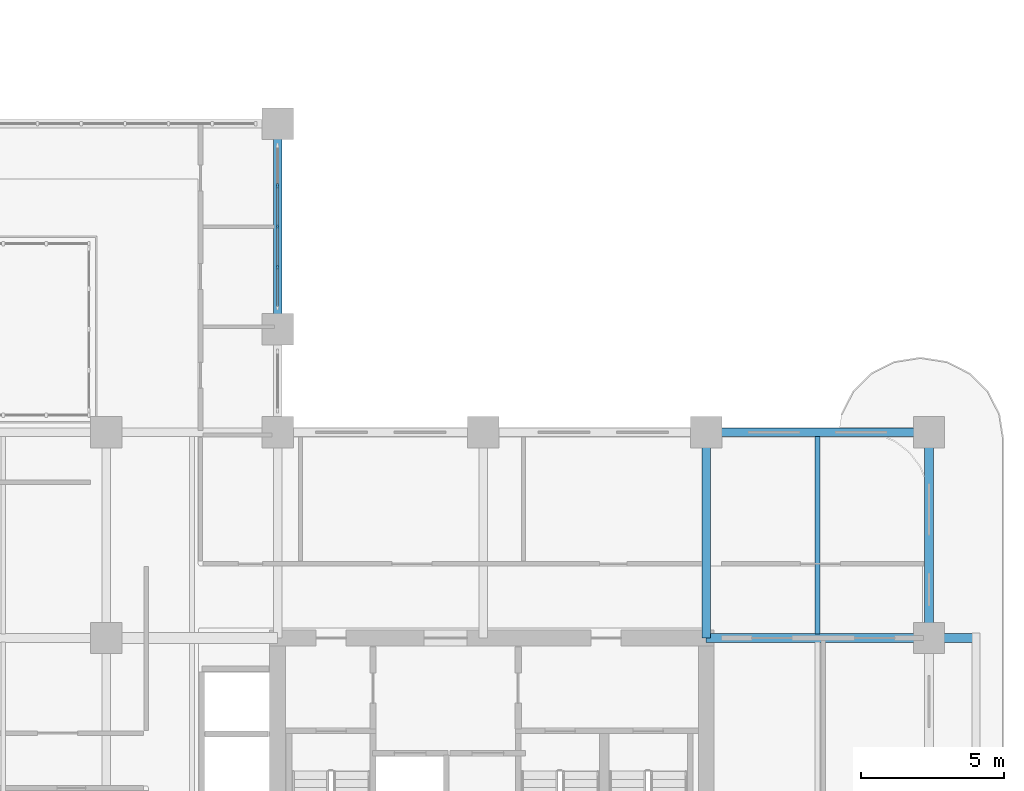
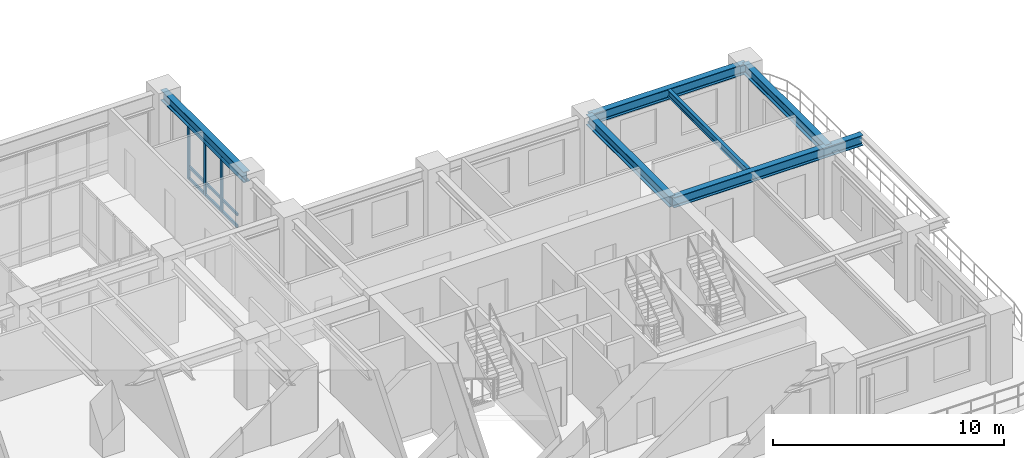
# One storey, part 5 of 22: 12 members, 6 beams, 1 element without a shape of its own.
"""IFC4 building model written with IfcOpenShell, lengths in metres."""

from ifc_helpers import new_model, si_unit, derived_unit, direction, frame, origin, origin_2d, place, context, subcontext, project, spatial, rectangle, i_section, extrude, source, transform, mapped, material, layer, layer_set, material_profile, profile_set, type_object, type_shapes, element, aggregate, save


model = new_model("IFC4")

# Units and contexts
model_context = context("Model", 3, precision=1e-05, world=origin(), true_north=direction((0.0, 1.0)))
body_context = subcontext(model_context, "Body", "Model", "MODEL_VIEW")
ifc_project = project(units=[si_unit("LENGTHUNIT", "METRE"), si_unit("AREAUNIT", "SQUARE_METRE"), si_unit("VOLUMEUNIT", "CUBIC_METRE"), si_unit("PLANEANGLEUNIT", "RADIAN"), si_unit("MASSUNIT", "GRAM", prefix="KILO"), si_unit("THERMODYNAMICTEMPERATUREUNIT", "KELVIN"), si_unit("POWERUNIT", "WATT"), derived_unit("THERMALTRANSMITTANCEUNIT", [(si_unit("POWERUNIT", "WATT"), 1), (si_unit("AREAUNIT", "SQUARE_METRE"), -1), (si_unit("THERMODYNAMICTEMPERATUREUNIT", "KELVIN"), -1)])], contexts=[model_context])

# Site, building, storey
site_placement = place(None, origin())
site = spatial("IfcSite", under=ifc_project, at=site_placement, CompositionType="ELEMENT")
building_placement = place(site_placement, origin())
building = spatial("IfcBuilding", under=site, at=building_placement, Name="Zahravan Archway Hotel and Residences", CompositionType="ELEMENT")
storey_placement = place(building_placement, frame((0.0, 0.0, 99.0)))
storey = spatial("IfcBuildingStorey", under=building, at=storey_placement, Name="L24", CompositionType="ELEMENT", Elevation=99.0)

# Beams
ifc_material_1 = material(Name="Structural Steel S355JR", Category="steel")
ifc_material_profile_1 = material_profile(ifc_material_1, i_section(OverallWidth=0.300048828125, OverallDepth=0.550048828125, WebThickness=0.014892578125, FlangeThickness=0.029052734375, FilletRadius=0.027099609375, at=origin_2d()), Name="HEB 550", Category="steel")
ifc_profile_set_1 = profile_set([ifc_material_profile_1], Name="Structural Steel S355JR")
beam_type_1 = type_object("IfcBeamType", Name="BM-PRI-HEB550", PredefinedType="BEAM", material=ifc_profile_set_1)
shared_shape_1 = source(origin(), body_context, "Body", "SweptSolid", [
    extrude(i_section(OverallWidth=0.300048828125, OverallDepth=0.550048828125, WebThickness=0.014892578125, FlangeThickness=0.029052734375, FilletRadius=0.027099609375, at=origin_2d()), origin(), (0.0, 0.0, 1.0), 7.2001953125),
])
type_shapes(beam_type_1, [shared_shape_1])
for number, where, z_axis, x_axis, name in (
    (1, (49.800048828125, 14.39990234375, 3.175048828125), (0.0, 1.0, 0.0), (-1.0, 0.0, 0.0), "L24 Primary Girder NS-49"),
    (2, (57.60009765625, 14.39990234375, 3.175048828125), (0.0, 1.0, 0.0), (-1.0, 0.0, 0.0), "L24 Primary Girder NS-52"),
):
    element("IfcBeam", number, at=place(storey_placement, frame(where, z_axis=z_axis, x_axis=x_axis)), inside=storey, type_object=beam_type_1, Name=name, PredefinedType="BEAM", context=body_context, shape_type="MappedRepresentation", body=[
        mapped(shared_shape_1, transform((0.0, 0.0, 0.0), scale=1.0)),
    ])
shared_shape_2 = source(origin(), body_context, "Body", "SweptSolid", [
    extrude(i_section(OverallWidth=0.300048828125, OverallDepth=0.550048828125, WebThickness=0.014892578125, FlangeThickness=0.029052734375, FilletRadius=0.027099609375, at=origin_2d()), origin(), (0.0, 0.0, 1.0), 7.199951171875),
])
beam_1_placement = place(storey_placement, frame((34.800048828125, 25.199951171875, 3.175048828125), z_axis=(0.0, 1.0, 0.0), x_axis=(-1.0, 0.0, 0.0)))
element("IfcBeam", 3, at=beam_1_placement, inside=storey, type_object=beam_type_1, Name="L24 Primary Girder NS-47", PredefinedType="BEAM", context=body_context, shape_type="MappedRepresentation", body=[
    mapped(shared_shape_2, transform((0.0, 0.0, 0.0), scale=1.0)),
])
shared_shape_3 = source(origin(), body_context, "Body", "SweptSolid", [
    extrude(i_section(OverallWidth=0.300048828125, OverallDepth=0.550048828125, WebThickness=0.014892578125, FlangeThickness=0.029052734375, FilletRadius=0.027099609375, at=origin_2d()), origin(), (0.0, 0.0, 1.0), 7.800048828125),
])
beam_2_placement = place(storey_placement, frame((49.800048828125, 21.60009765625, 3.175048828125), z_axis=(1.0, 0.0, 0.0), x_axis=(0.0, 1.0, 0.0)))
element("IfcBeam", 4, at=beam_2_placement, inside=storey, type_object=beam_type_1, Name="L24 Primary Girder EW-19", PredefinedType="BEAM", context=body_context, shape_type="MappedRepresentation", body=[
    mapped(shared_shape_3, transform((0.0, 0.0, 0.0), scale=1.0)),
])
shared_shape_4 = source(origin(), body_context, "Body", "SweptSolid", [
    extrude(i_section(OverallWidth=0.300048828125, OverallDepth=0.550048828125, WebThickness=0.014892578125, FlangeThickness=0.029052734375, FilletRadius=0.027099609375, at=origin_2d()), origin(), (0.0, 0.0, 1.0), 9.449951171875),
])
beam_3_placement = place(storey_placement, frame((49.800048828125, 14.39990234375, 3.175048828125), z_axis=(1.0, 0.0, 0.0), x_axis=(0.0, 1.0, 0.0)))
element("IfcBeam", 5, at=beam_3_placement, inside=storey, type_object=beam_type_1, Name="L24 Primary Girder EW-13", PredefinedType="BEAM", context=body_context, shape_type="MappedRepresentation", body=[
    mapped(shared_shape_4, transform((0.0, 0.0, 0.0), scale=1.0)),
])
ifc_material_profile_2 = material_profile(ifc_material_1, i_section(OverallWidth=0.169921875, OverallDepth=0.360107421875, WebThickness=0.008056640625, FlangeThickness=0.0126953125, FilletRadius=0.01806640625, at=origin_2d()), Name="IPE 360", Category="steel")
ifc_profile_set_2 = profile_set([ifc_material_profile_2], Name="Structural Steel S355JR")
beam_type_2 = type_object("IfcBeamType", Name="BM-JST-IPE360", PredefinedType="JOIST", material=ifc_profile_set_2)
shared_shape_5 = source(origin(), body_context, "Body", "SweptSolid", [
    extrude(i_section(OverallWidth=0.169921875, OverallDepth=0.360107421875, WebThickness=0.008056640625, FlangeThickness=0.0126953125, FilletRadius=0.01806640625, at=origin_2d()), origin(), (0.0, 0.0, 1.0), 6.90380859375),
])
beam_4_placement = place(storey_placement, frame((53.699951171875, 14.548095703125, 3.27001953125), z_axis=(0.0, 1.0, 0.0), x_axis=(-1.0, 0.0, 0.0)))
element("IfcBeam", 6, at=beam_4_placement, inside=storey, type_object=beam_type_2, Name="L24 Composite Floor Joist 12", PredefinedType="JOIST", context=body_context, shape_type="MappedRepresentation", body=[
    mapped(shared_shape_5, transform((0.0, 0.0, 0.0), scale=1.0)),
])

# Curtain wall, members
ifc_material_2 = material(Name="Bronze-Anodized Unitised Aluminium & Low-E Glass", Category="aluminium")
ifc_layer = layer(ifc_material_2, 0.179931640625, Name="Bronze-Anodized Unitised Aluminium & Low-E Glass", Category="aluminium")
ifc_layer_set = layer_set([ifc_layer], Name="Bronze-Anodized Unitised Aluminium & Low-E Glass")
curtain_wall_type = type_object("IfcCurtainWallType", Name="CW-TWR-FEAT", PredefinedType="NOTDEFINED", material=ifc_layer_set)
curtain_wall_placement = place(storey_placement, origin())
curtain_wall = element("IfcCurtainWall", 7, at=curtain_wall_placement, inside=storey, type_object=curtain_wall_type, Name="L24 Curtain Wall CW-L24-HNG-E-2", PredefinedType="NOTDEFINED")
ifc_material_3 = material(Name="Bronze-Anodized Extruded Aluminium", Category="aluminium")
ifc_material_profile_3 = material_profile(ifc_material_3, rectangle(XDim=0.080078125, YDim=0.139892578125, at=origin_2d()), Name="TRN 80x140", Category="aluminium")
ifc_profile_set_3 = profile_set([ifc_material_profile_3], Name="Bronze-Anodized Extruded Aluminium")
member_type_1 = type_object("IfcMemberType", Name="CWM-TRN-140", PredefinedType="USERDEFINED", material=ifc_profile_set_3)
shared_shape_6 = source(origin(), body_context, "Body", "SweptSolid", [
    extrude(rectangle(XDim=0.080078125, YDim=0.139892578125, at=origin_2d()), origin(), (0.0, 0.0, 1.0), 1.33984375),
])
member_1_placement = place(storey_placement, frame((34.800048828125, 28.840087890625, 0.070068359375), z_axis=(0.0, 1.0, 0.0), x_axis=(-1.0, 0.0, 0.0)))
member_1 = element("IfcMember", 8, at=member_1_placement, type_object=member_type_1, Name="CW-L24-HNG-E-2 Transom 2-1", ObjectType="TRANSOM", PredefinedType="USERDEFINED", context=body_context, shape_type="MappedRepresentation", body=[
    mapped(shared_shape_6, transform((0.0, 0.0, 0.0), scale=1.0)),
])
member_2_placement = place(storey_placement, frame((34.800048828125, 28.840087890625, 0.6923828125), z_axis=(0.0, 1.0, 0.0), x_axis=(-1.0, 0.0, 0.0)))
member_2 = element("IfcMember", 9, at=member_2_placement, type_object=member_type_1, Name="CW-L24-HNG-E-2 Transom 2-2", ObjectType="TRANSOM", PredefinedType="USERDEFINED", context=body_context, shape_type="MappedRepresentation", body=[
    mapped(shared_shape_6, transform((0.0, 0.0, 0.0), scale=1.0)),
])
member_3_placement = place(storey_placement, frame((34.800048828125, 28.840087890625, 2.81494140625), z_axis=(0.0, 1.0, 0.0), x_axis=(-1.0, 0.0, 0.0)))
member_3 = element("IfcMember", 10, at=member_3_placement, type_object=member_type_1, Name="CW-L24-HNG-E-2 Transom 2-3", ObjectType="TRANSOM", PredefinedType="USERDEFINED", context=body_context, shape_type="MappedRepresentation", body=[
    mapped(shared_shape_6, transform((0.0, 0.0, 0.0), scale=1.0)),
])
shared_shape_7 = source(origin(), body_context, "Body", "SweptSolid", [
    extrude(rectangle(XDim=0.080078125, YDim=0.139892578125, at=origin_2d()), origin(), (0.0, 0.0, 1.0), 1.340087890625),
])
member_4_placement = place(storey_placement, frame((34.800048828125, 26.0, 0.070068359375), z_axis=(0.0, 1.0, 0.0), x_axis=(-1.0, 0.0, 0.0)))
member_4 = element("IfcMember", 11, at=member_4_placement, type_object=member_type_1, Name="CW-L24-HNG-E-2 Transom 0-1", ObjectType="TRANSOM", PredefinedType="USERDEFINED", context=body_context, shape_type="MappedRepresentation", body=[
    mapped(shared_shape_7, transform((0.0, 0.0, 0.0), scale=1.0)),
])
member_5_placement = place(storey_placement, frame((34.800048828125, 26.0, 0.6923828125), z_axis=(0.0, 1.0, 0.0), x_axis=(-1.0, 0.0, 0.0)))
member_5 = element("IfcMember", 12, at=member_5_placement, type_object=member_type_1, Name="CW-L24-HNG-E-2 Transom 0-2", ObjectType="TRANSOM", PredefinedType="USERDEFINED", context=body_context, shape_type="MappedRepresentation", body=[
    mapped(shared_shape_7, transform((0.0, 0.0, 0.0), scale=1.0)),
])
member_6_placement = place(storey_placement, frame((34.800048828125, 26.0, 2.81494140625), z_axis=(0.0, 1.0, 0.0), x_axis=(-1.0, 0.0, 0.0)))
member_6 = element("IfcMember", 13, at=member_6_placement, type_object=member_type_1, Name="CW-L24-HNG-E-2 Transom 0-3", ObjectType="TRANSOM", PredefinedType="USERDEFINED", context=body_context, shape_type="MappedRepresentation", body=[
    mapped(shared_shape_7, transform((0.0, 0.0, 0.0), scale=1.0)),
])
member_7_placement = place(storey_placement, frame((34.800048828125, 27.419921875, 0.070068359375), z_axis=(0.0, 1.0, 0.0), x_axis=(-1.0, 0.0, 0.0)))
member_7 = element("IfcMember", 14, at=member_7_placement, type_object=member_type_1, Name="CW-L24-HNG-E-2 Transom 1-1", ObjectType="TRANSOM", PredefinedType="USERDEFINED", context=body_context, shape_type="MappedRepresentation", body=[
    mapped(shared_shape_7, transform((0.0, 0.0, 0.0), scale=1.0)),
])
member_8_placement = place(storey_placement, frame((34.800048828125, 27.419921875, 0.6923828125), z_axis=(0.0, 1.0, 0.0), x_axis=(-1.0, 0.0, 0.0)))
member_8 = element("IfcMember", 15, at=member_8_placement, type_object=member_type_1, Name="CW-L24-HNG-E-2 Transom 1-2", ObjectType="TRANSOM", PredefinedType="USERDEFINED", context=body_context, shape_type="MappedRepresentation", body=[
    mapped(shared_shape_7, transform((0.0, 0.0, 0.0), scale=1.0)),
])
member_9_placement = place(storey_placement, frame((34.800048828125, 27.419921875, 2.81494140625), z_axis=(0.0, 1.0, 0.0), x_axis=(-1.0, 0.0, 0.0)))
member_9 = element("IfcMember", 16, at=member_9_placement, type_object=member_type_1, Name="CW-L24-HNG-E-2 Transom 1-3", ObjectType="TRANSOM", PredefinedType="USERDEFINED", context=body_context, shape_type="MappedRepresentation", body=[
    mapped(shared_shape_7, transform((0.0, 0.0, 0.0), scale=1.0)),
])
ifc_material_profile_4 = material_profile(ifc_material_3, rectangle(XDim=0.080078125, YDim=0.159912109375, at=origin_2d()), Name="MUL 80x160", Category="aluminium")
ifc_profile_set_4 = profile_set([ifc_material_profile_4], Name="Bronze-Anodized Extruded Aluminium")
member_type_2 = type_object("IfcMemberType", Name="CWM-MUL-160", PredefinedType="MULLION", material=ifc_profile_set_4)
shared_shape_8 = source(origin(), body_context, "Body", "SweptSolid", [
    extrude(rectangle(XDim=0.080078125, YDim=0.159912109375, at=origin_2d()), origin(), (0.0, 0.0, 1.0), 2.885009765625),
])
member_10_placement = place(storey_placement, frame((34.800048828125, 27.3798828125, 0.0), z_axis=(0.0, 0.0, 1.0), x_axis=(1.0, 0.0, 0.0)))
member_10 = element("IfcMember", 17, at=member_10_placement, type_object=member_type_2, Name="CW-L24-HNG-E-2 Mullion 1", PredefinedType="MULLION", context=body_context, shape_type="MappedRepresentation", body=[
    mapped(shared_shape_8, transform((0.0, 0.0, 0.0), scale=1.0)),
])
member_11_placement = place(storey_placement, frame((34.800048828125, 28.800048828125, 0.0), z_axis=(0.0, 0.0, 1.0), x_axis=(1.0, 0.0, 0.0)))
member_11 = element("IfcMember", 18, at=member_11_placement, type_object=member_type_2, Name="CW-L24-HNG-E-2 Mullion 2", PredefinedType="MULLION", context=body_context, shape_type="MappedRepresentation", body=[
    mapped(shared_shape_8, transform((0.0, 0.0, 0.0), scale=1.0)),
])
member_12_placement = place(storey_placement, frame((34.800048828125, 30.219970703125, 0.0), z_axis=(0.0, 0.0, 1.0), x_axis=(1.0, 0.0, 0.0)))
member_12 = element("IfcMember", 19, at=member_12_placement, type_object=member_type_2, Name="CW-L24-HNG-E-2 Mullion 3", PredefinedType="MULLION", context=body_context, shape_type="MappedRepresentation", body=[
    mapped(shared_shape_8, transform((0.0, 0.0, 0.0), scale=1.0)),
])
aggregate(curtain_wall, [member_10, member_11, member_12, member_4, member_5, member_6, member_7, member_8, member_9, member_1, member_2, member_3])

save(model, "model.ifc")
